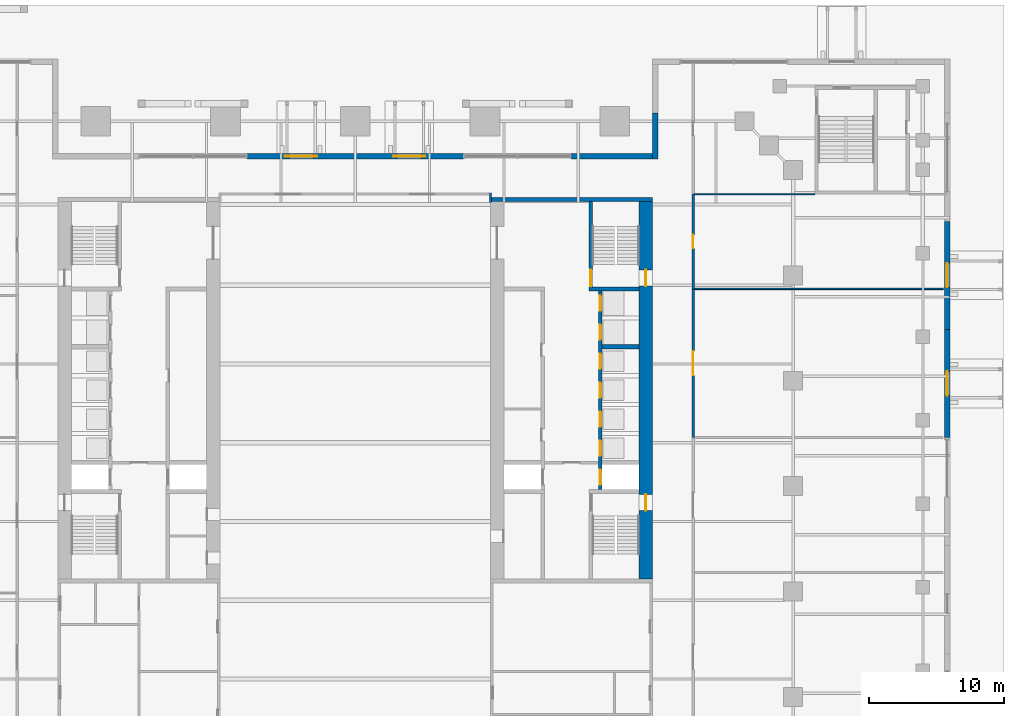
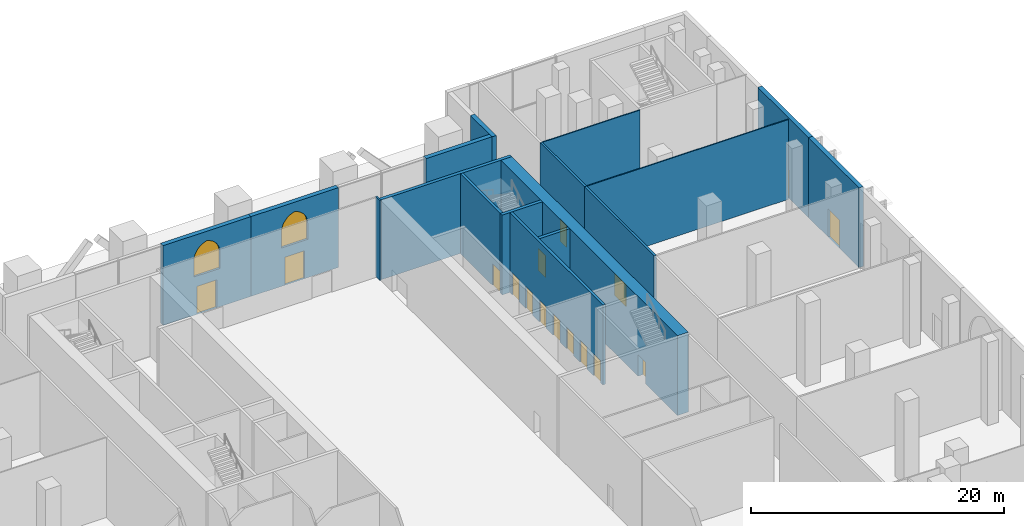
# One storey, part 33 of 38: 17 walls, 16 doors, 2 windows, 18 openings.
"""IFC4 building model written with IfcOpenShell, lengths in metres."""

from ifc_helpers import new_model, si_unit, direction, frame, frame_2d, origin, place, context, subcontext, project, spatial, polyline, rectangle, outline, extrude, material, layer, layer_set, type_object, element, fill, save


model = new_model("IFC4")

# Units and contexts
model_context = context("Model", 3, precision=1e-05, world=origin(), true_north=direction((0.0, 1.0)))
body_context = subcontext(model_context, "Body", "Model", "MODEL_VIEW")
ifc_project = project(units=[si_unit("LENGTHUNIT", "METRE"), si_unit("AREAUNIT", "SQUARE_METRE"), si_unit("VOLUMEUNIT", "CUBIC_METRE"), si_unit("PLANEANGLEUNIT", "RADIAN"), si_unit("MASSUNIT", "GRAM", prefix="KILO")], contexts=[model_context])

# Site, building, storey
site_placement = place(None, origin())
site = spatial("IfcSite", under=ifc_project, at=site_placement, CompositionType="ELEMENT")
building_placement = place(site_placement, origin())
building = spatial("IfcBuilding", under=site, at=building_placement, Name="Ogive Exchange Tower", CompositionType="ELEMENT")
storey_placement = place(building_placement, origin())
storey = spatial("IfcBuildingStorey", under=building, at=storey_placement, Name="L00", CompositionType="ELEMENT", Elevation=0.0)

# Wall
ifc_material_1 = material(Name="Fire partition EI 60 150")
ifc_layer_1 = layer(ifc_material_1, 0.14990234375)
ifc_layer_set_1 = layer_set([ifc_layer_1], Name="Fire partition EI 60 150")
wall_type_1 = type_object("IfcWallType", Name="Fire partition EI 60 150", PredefinedType="PARTITIONING", material=ifc_layer_set_1)
wall_1_placement = place(storey_placement, frame((10.0, 25.39990234375, 0.0), z_axis=(0.0, 0.0, 1.0), x_axis=(0.0, 1.0, 0.0)))
element("IfcWall", 1, at=wall_1_placement, inside=storey, type_object=wall_type_1, Name="L00-PWL-040", PredefinedType="PARTITIONING", context=body_context, shape_type="SweptSolid", body=[
    extrude(rectangle(XDim=0.675048828125, YDim=0.14990234375, at=frame_2d((0.33740234375, 0.0))), origin(), (0.0, 0.0, 1.0), 7.699951171875),
])

# Wall, opening, door
ifc_material_2 = material(Name="Precast concrete C40/50", Category="concrete")
ifc_layer_2 = layer(ifc_material_2, 0.39990234375)
ifc_layer_set_2 = layer_set([ifc_layer_2], Name="Limestone-faced wall 400")
wall_type_2 = type_object("IfcWallType", Name="Limestone-faced wall 400", PredefinedType="STANDARD", material=ifc_layer_set_2)
wall_2_placement = place(storey_placement, frame((43.800048828125, 8.0, 0.0), z_axis=(0.0, 0.0, 1.0), x_axis=(0.0, 1.0, 0.0)))
wall_2 = element("IfcWall", 2, at=wall_2_placement, inside=storey, type_object=wall_type_2, Name="Podium wall E9", PredefinedType="STANDARD", context=body_context, shape_type="SweptSolid", body=[
    extrude(rectangle(XDim=8.0, YDim=0.39990234375, at=frame_2d((4.0, 0.0))), origin(), (0.0, 0.0, 1.0), 7.699951171875),
])
opening_1_placement = place(wall_2_placement, frame((3.10009765625, 0.0, 0.0)))
opening_1 = element("IfcOpeningElement", 3, at=opening_1_placement, cuts=wall_2, Name="Opening L00-E12", PredefinedType="OPENING", context=body_context, shape_type="SweptSolid", body=[
    extrude(rectangle(XDim=1.800048828125, YDim=2.699951171875, at=frame_2d((0.89990234375, 1.35009765625))), frame((0.0, 0.2099609375, 0.0), z_axis=(0.0, -1.0, 0.0), x_axis=(1.0, 0.0, 0.0)), (0.0, 0.0, 1.0), 0.419921875),
])
ifc_material_3 = material(Name="Steel and glass", Category="steel")
door_type_1 = type_object("IfcDoorType", Name="Exit door 1800 x 2700", OperationType="DOUBLE_DOOR_SINGLE_SWING", PredefinedType="DOOR", material=ifc_material_3)
door_1_placement = place(opening_1_placement, frame((1.800048828125, 0.0, 0.0), z_axis=(0.0, 0.0, 1.0), x_axis=(-1.0, 0.0, 0.0)))
door_1 = element("IfcDoor", 4, at=door_1_placement, inside=storey, type_object=door_type_1, Name="Exit door X10", ObjectType="XD1", OperationType="DOUBLE_DOOR_SINGLE_SWING", OverallHeight=2.699951171875, OverallWidth=1.800048828125, PredefinedType="DOOR", context=body_context, shape_type="SweptSolid", body=[
    extrude(rectangle(XDim=1.800048828125, YDim=2.699951171875, at=frame_2d((0.89990234375, 1.35009765625))), frame((0.0, 0.02490234375, 0.0), z_axis=(0.0, -1.0, 0.0), x_axis=(1.0, 0.0, 0.0)), (0.0, 0.0, 1.0), 0.050048828125),
])
fill(opening_1, door_1)

wall_3_placement = place(storey_placement, frame((43.800048828125, 16.0, 0.0), z_axis=(0.0, 0.0, 1.0), x_axis=(0.0, 1.0, 0.0)))
wall_3 = element("IfcWall", 5, at=wall_3_placement, inside=storey, type_object=wall_type_2, Name="Podium wall E10", PredefinedType="STANDARD", context=body_context, shape_type="SweptSolid", body=[
    extrude(rectangle(XDim=8.0, YDim=0.39990234375, at=frame_2d((4.0, 0.0))), origin(), (0.0, 0.0, 1.0), 7.699951171875),
])
opening_2_placement = place(wall_3_placement, frame((3.10009765625, 0.0, 0.0)))
opening_2 = element("IfcOpeningElement", 6, at=opening_2_placement, cuts=wall_3, Name="Opening L00-E13", PredefinedType="OPENING", context=body_context, shape_type="SweptSolid", body=[
    extrude(rectangle(XDim=1.800048828125, YDim=2.699951171875, at=frame_2d((0.89990234375, 1.35009765625))), frame((0.0, 0.2099609375, 0.0), z_axis=(0.0, -1.0, 0.0), x_axis=(1.0, 0.0, 0.0)), (0.0, 0.0, 1.0), 0.419921875),
])
door_2_placement = place(opening_2_placement, frame((1.800048828125, 0.0, 0.0), z_axis=(0.0, 0.0, 1.0), x_axis=(-1.0, 0.0, 0.0)))
door_2 = element("IfcDoor", 7, at=door_2_placement, inside=storey, type_object=door_type_1, Name="Exit door X11", ObjectType="XD1", OperationType="DOUBLE_DOOR_SINGLE_SWING", OverallHeight=2.699951171875, OverallWidth=1.800048828125, PredefinedType="DOOR", context=body_context, shape_type="SweptSolid", body=[
    extrude(rectangle(XDim=1.800048828125, YDim=2.699951171875, at=frame_2d((0.89990234375, 1.35009765625))), frame((0.0, 0.02490234375, 0.0), z_axis=(0.0, -1.0, 0.0), x_axis=(1.0, 0.0, 0.0)), (0.0, 0.0, 1.0), 0.050048828125),
])
fill(opening_2, door_2)

# Walls
wall_4_placement = place(storey_placement, frame((22.199951171875, 32.0, 0.0), z_axis=(0.0, 0.0, 1.0), x_axis=(0.0, -1.0, 0.0)))
element("IfcWall", 8, at=wall_4_placement, inside=storey, type_object=wall_type_2, Name="Podium wall K2", PredefinedType="STANDARD", context=body_context, shape_type="SweptSolid", body=[
    extrude(rectangle(XDim=3.39990234375, YDim=0.39990234375, at=frame_2d((1.699951171875, 0.0))), origin(), (0.0, 0.0, 1.0), 7.699951171875),
])
wall_5_placement = place(storey_placement, frame((22.0, 28.800048828125, 0.0), z_axis=(0.0, 0.0, 1.0), x_axis=(-1.0, 0.0, 0.0)))
element("IfcWall", 9, at=wall_5_placement, inside=storey, type_object=wall_type_2, Name="Podium wall B1", PredefinedType="STANDARD", context=body_context, shape_type="SweptSolid", body=[
    extrude(rectangle(XDim=6.0, YDim=0.39990234375, at=frame_2d((3.0, 0.0))), origin(), (0.0, 0.0, 1.0), 7.699951171875),
])

# Wall, openings, window, door
wall_6_placement = place(storey_placement, frame((8.0, 28.800048828125, 0.0), z_axis=(0.0, 0.0, 1.0), x_axis=(-1.0, 0.0, 0.0)))
wall_6 = element("IfcWall", 10, at=wall_6_placement, inside=storey, type_object=wall_type_2, Name="Podium wall B3", PredefinedType="STANDARD", context=body_context, shape_type="SweptSolid", body=[
    extrude(rectangle(XDim=8.0, YDim=0.39990234375, at=frame_2d((4.0, 0.0))), origin(), (0.0, 0.0, 1.0), 7.699951171875),
])
opening_3_placement = place(wall_6_placement, frame((3.10009765625, 0.0, 0.0)))
opening_3 = element("IfcOpeningElement", 11, at=opening_3_placement, cuts=wall_6, Name="Opening L00-E15", PredefinedType="OPENING", context=body_context, shape_type="SweptSolid", body=[
    extrude(rectangle(XDim=1.800048828125, YDim=2.699951171875, at=frame_2d((0.89990234375, 1.35009765625))), frame((0.0, 0.2099609375, 0.0), z_axis=(0.0, -1.0, 0.0), x_axis=(1.0, 0.0, 0.0)), (0.0, 0.0, 1.0), 0.419921875),
])
opening_4_placement = place(wall_6_placement, frame((2.800048828125, 0.0, 3.699951171875)))
opening_4 = element("IfcOpeningElement", 12, at=opening_4_placement, cuts=wall_6, Name="Opening WF310", PredefinedType="OPENING", context=body_context, shape_type="SweptSolid", body=[
    extrude(outline(polyline([(0.0, 0.0), (2.39990234375, 0.0), (2.39990234375, 1.550048828125), (2.378173828125, 1.8125), (2.313720703125, 2.06787109375), (2.20849609375, 2.309326171875), (2.06494140625, 2.5302734375), (1.886962890625, 2.724365234375), (1.6796875, 2.886962890625), (1.44873046875, 3.013427734375), (1.199951171875, 3.10009765625), (0.951171875, 3.013427734375), (0.72021484375, 2.886962890625), (0.512939453125, 2.724365234375), (0.3349609375, 2.5302734375), (0.19140625, 2.309326171875), (0.086181640625, 2.06787109375), (0.021728515625, 1.8125), (0.0, 1.550048828125), (0.0, 0.0)])), frame((0.0, 0.2099609375, 0.0), z_axis=(0.0, -1.0, 0.0), x_axis=(1.0, 0.0, 0.0)), (0.0, 0.0, 1.0), 0.419921875),
])
ifc_material_4 = material(Name="Clear glass in bronze frame", Category="glass")
window_type = type_object("IfcWindowType", Name="Entrance fanlight 2400 x 3100", PartitioningType="DOUBLE_PANEL_VERTICAL", PredefinedType="WINDOW", material=ifc_material_4)
window_1_placement = place(opening_4_placement, origin())
window_1 = element("IfcWindow", 13, at=window_1_placement, inside=storey, type_object=window_type, Name="Entrance fanlight 15", OverallHeight=3.10009765625, OverallWidth=2.39990234375, PartitioningType="DOUBLE_PANEL_VERTICAL", PredefinedType="WINDOW", context=body_context, shape_type="SweptSolid", body=[
    extrude(outline(polyline([(0.0, 0.0), (2.39990234375, 0.0), (2.39990234375, 1.550048828125), (2.378173828125, 1.8125), (2.313720703125, 2.06787109375), (2.20849609375, 2.309326171875), (2.06494140625, 2.5302734375), (1.886962890625, 2.724365234375), (1.6796875, 2.886962890625), (1.44873046875, 3.013427734375), (1.199951171875, 3.10009765625), (0.951171875, 3.013427734375), (0.72021484375, 2.886962890625), (0.512939453125, 2.724365234375), (0.3349609375, 2.5302734375), (0.19140625, 2.309326171875), (0.086181640625, 2.06787109375), (0.021728515625, 1.8125), (0.0, 1.550048828125), (0.0, 0.0)])), frame((0.0, 0.030029296875, 0.0), z_axis=(0.0, -1.0, 0.0), x_axis=(1.0, 0.0, 0.0)), (0.0, 0.0, 1.0), 0.06005859375),
])
fill(opening_4, window_1)
door_3_placement = place(opening_3_placement, frame((1.800048828125, 0.0, 0.0), z_axis=(0.0, 0.0, 1.0), x_axis=(-1.0, 0.0, 0.0)))
door_3 = element("IfcDoor", 14, at=door_3_placement, inside=storey, type_object=door_type_1, Name="Exit door X15", ObjectType="XD1", OperationType="DOUBLE_DOOR_SINGLE_SWING", OverallHeight=2.699951171875, OverallWidth=1.800048828125, PredefinedType="DOOR", context=body_context, shape_type="SweptSolid", body=[
    extrude(rectangle(XDim=1.800048828125, YDim=2.699951171875, at=frame_2d((0.89990234375, 1.35009765625))), frame((0.0, 0.02490234375, 0.0), z_axis=(0.0, -1.0, 0.0), x_axis=(1.0, 0.0, 0.0)), (0.0, 0.0, 1.0), 0.050048828125),
])
fill(opening_3, door_3)

wall_7_placement = place(storey_placement, frame((0.0, 28.800048828125, 0.0), z_axis=(0.0, 0.0, 1.0), x_axis=(-1.0, 0.0, 0.0)))
wall_7 = element("IfcWall", 15, at=wall_7_placement, inside=storey, type_object=wall_type_2, Name="Podium wall B4", PredefinedType="STANDARD", context=body_context, shape_type="SweptSolid", body=[
    extrude(rectangle(XDim=8.0, YDim=0.39990234375, at=frame_2d((4.0, 0.0))), origin(), (0.0, 0.0, 1.0), 7.699951171875),
])
opening_5_placement = place(wall_7_placement, frame((3.10009765625, 0.0, 0.0)))
opening_5 = element("IfcOpeningElement", 16, at=opening_5_placement, cuts=wall_7, Name="Opening L00-E16", PredefinedType="OPENING", context=body_context, shape_type="SweptSolid", body=[
    extrude(rectangle(XDim=1.800048828125, YDim=2.699951171875, at=frame_2d((0.89990234375, 1.35009765625))), frame((0.0, 0.2099609375, 0.0), z_axis=(0.0, -1.0, 0.0), x_axis=(1.0, 0.0, 0.0)), (0.0, 0.0, 1.0), 0.419921875),
])
opening_6_placement = place(wall_7_placement, frame((2.800048828125, 0.0, 3.699951171875)))
opening_6 = element("IfcOpeningElement", 17, at=opening_6_placement, cuts=wall_7, Name="Opening WF310", PredefinedType="OPENING", context=body_context, shape_type="SweptSolid", body=[
    extrude(outline(polyline([(0.0, 0.0), (2.39990234375, 0.0), (2.39990234375, 1.550048828125), (2.378173828125, 1.8125), (2.313720703125, 2.06787109375), (2.20849609375, 2.309326171875), (2.06494140625, 2.5302734375), (1.886962890625, 2.724365234375), (1.6796875, 2.886962890625), (1.44873046875, 3.013427734375), (1.199951171875, 3.10009765625), (0.951171875, 3.013427734375), (0.72021484375, 2.886962890625), (0.512939453125, 2.724365234375), (0.3349609375, 2.5302734375), (0.19140625, 2.309326171875), (0.086181640625, 2.06787109375), (0.021728515625, 1.8125), (0.0, 1.550048828125), (0.0, 0.0)])), frame((0.0, 0.2099609375, 0.0), z_axis=(0.0, -1.0, 0.0), x_axis=(1.0, 0.0, 0.0)), (0.0, 0.0, 1.0), 0.419921875),
])
window_2_placement = place(opening_6_placement, origin())
window_2 = element("IfcWindow", 18, at=window_2_placement, inside=storey, type_object=window_type, Name="Entrance fanlight 16", OverallHeight=3.10009765625, OverallWidth=2.39990234375, PartitioningType="DOUBLE_PANEL_VERTICAL", PredefinedType="WINDOW", context=body_context, shape_type="SweptSolid", body=[
    extrude(outline(polyline([(0.0, 0.0), (2.39990234375, 0.0), (2.39990234375, 1.550048828125), (2.378173828125, 1.8125), (2.313720703125, 2.06787109375), (2.20849609375, 2.309326171875), (2.06494140625, 2.5302734375), (1.886962890625, 2.724365234375), (1.6796875, 2.886962890625), (1.44873046875, 3.013427734375), (1.199951171875, 3.10009765625), (0.951171875, 3.013427734375), (0.72021484375, 2.886962890625), (0.512939453125, 2.724365234375), (0.3349609375, 2.5302734375), (0.19140625, 2.309326171875), (0.086181640625, 2.06787109375), (0.021728515625, 1.8125), (0.0, 1.550048828125), (0.0, 0.0)])), frame((0.0, 0.030029296875, 0.0), z_axis=(0.0, -1.0, 0.0), x_axis=(1.0, 0.0, 0.0)), (0.0, 0.0, 1.0), 0.06005859375),
])
fill(opening_6, window_2)
door_4_placement = place(opening_5_placement, frame((1.800048828125, 0.0, 0.0), z_axis=(0.0, 0.0, 1.0), x_axis=(-1.0, 0.0, 0.0)))
door_4 = element("IfcDoor", 19, at=door_4_placement, inside=storey, type_object=door_type_1, Name="Exit door X14", ObjectType="XD1", OperationType="DOUBLE_DOOR_SINGLE_SWING", OverallHeight=2.699951171875, OverallWidth=1.800048828125, PredefinedType="DOOR", context=body_context, shape_type="SweptSolid", body=[
    extrude(rectangle(XDim=1.800048828125, YDim=2.699951171875, at=frame_2d((0.89990234375, 1.35009765625))), frame((0.0, 0.02490234375, 0.0), z_axis=(0.0, -1.0, 0.0), x_axis=(1.0, 0.0, 0.0)), (0.0, 0.0, 1.0), 0.050048828125),
])
fill(opening_5, door_4)

# Walls
ifc_material_5 = material(Name="Partition 100 gypsum")
ifc_layer_3 = layer(ifc_material_5, 0.10009765625)
ifc_layer_set_3 = layer_set([ifc_layer_3], Name="Partition 100 gypsum")
wall_type_3 = type_object("IfcWallType", Name="Partition 100 gypsum", PredefinedType="PARTITIONING", material=ifc_layer_set_3)
wall_8_placement = place(storey_placement, frame((25.10009765625, 19.0, 0.0), z_axis=(0.0, 0.0, 1.0), x_axis=(1.0, 0.0, 0.0)))
element("IfcWall", 20, at=wall_8_placement, inside=storey, type_object=wall_type_3, Name="L00-PWL-024", PredefinedType="PARTITIONING", context=body_context, shape_type="SweptSolid", body=[
    extrude(rectangle(XDim=18.39990234375, YDim=0.10009765625, at=frame_2d((9.199951171875, 0.0))), origin(), (0.0, 0.0, 1.0), 7.699951171875),
])
wall_9_placement = place(storey_placement, frame((25.10009765625, 26.0, 0.0), z_axis=(0.0, 0.0, 1.0), x_axis=(1.0, 0.0, 0.0)))
element("IfcWall", 21, at=wall_9_placement, inside=storey, type_object=wall_type_3, Name="L00-PWL-028", PredefinedType="PARTITIONING", context=body_context, shape_type="SweptSolid", body=[
    extrude(rectangle(XDim=8.89990234375, YDim=0.10009765625, at=frame_2d((4.449951171875, 0.0))), origin(), (0.0, 0.0, 1.0), 7.699951171875),
])

# Wall, openings, doors
ifc_material_6 = material(Name="Concrete C70/85", Category="concrete")
ifc_layer_4 = layer(ifc_material_6, 1.0)
ifc_layer_set_4 = layer_set([ifc_layer_4], Name="RC core wall 1000 C70/85")
wall_type_4 = type_object("IfcWallType", Name="RC core wall 1000 C70/85", PredefinedType="SHEAR", material=ifc_layer_set_4)
wall_10_placement = place(storey_placement, frame((21.5, -2.449951171875, 0.0), z_axis=(0.0, 0.0, 1.0), x_axis=(0.0, 1.0, 0.0)))
wall_10 = element("IfcWall", 22, at=wall_10_placement, inside=storey, type_object=wall_type_4, Name="E outer wall", PredefinedType="SHEAR", context=body_context, shape_type="SweptSolid", body=[
    extrude(rectangle(XDim=27.89990234375, YDim=1.0, at=frame_2d((13.949951171875, 0.0))), origin(), (0.0, 0.0, 1.0), 7.699951171875),
])
opening_7_placement = place(wall_10_placement, frame((5.050048828125, 0.0, 0.0)))
opening_7 = element("IfcOpeningElement", 23, at=opening_7_placement, cuts=wall_10, Name="Opening L00-C36", PredefinedType="OPENING", context=body_context, shape_type="SweptSolid", body=[
    extrude(rectangle(XDim=1.199951171875, YDim=2.10009765625, at=frame_2d((0.60009765625, 1.050048828125))), frame((0.0, 0.510009765625, 0.0), z_axis=(0.0, -1.0, 0.0), x_axis=(1.0, 0.0, 0.0)), (0.0, 0.0, 1.0), 1.02001953125),
])
opening_8_placement = place(wall_10_placement, frame((21.64990234375, 0.0, 0.0)))
opening_8 = element("IfcOpeningElement", 24, at=opening_8_placement, cuts=wall_10, Name="Opening L00-C38", PredefinedType="OPENING", context=body_context, shape_type="SweptSolid", body=[
    extrude(rectangle(XDim=1.199951171875, YDim=2.10009765625, at=frame_2d((0.60009765625, 1.050048828125))), frame((0.0, 0.510009765625, 0.0), z_axis=(0.0, -1.0, 0.0), x_axis=(1.0, 0.0, 0.0)), (0.0, 0.0, 1.0), 1.02001953125),
])
ifc_material_7 = material(Name="Steel fire door", Category="steel")
door_type_2 = type_object("IfcDoorType", Name="Stair door FD90 1200 x 2100", OperationType="NOTDEFINED", PredefinedType="DOOR", material=ifc_material_7)
door_5_placement = place(opening_7_placement, origin())
door_5 = element("IfcDoor", 25, at=door_5_placement, inside=storey, type_object=door_type_2, Name="Stair door", ObjectType="CD5", OperationType="SINGLE_SWING_LEFT", OverallHeight=2.10009765625, OverallWidth=1.199951171875, PredefinedType="DOOR", context=body_context, shape_type="SweptSolid", body=[
    extrude(rectangle(XDim=1.199951171875, YDim=2.10009765625, at=frame_2d((0.60009765625, 1.050048828125))), frame((0.0, 0.02490234375, 0.0), z_axis=(0.0, -1.0, 0.0), x_axis=(1.0, 0.0, 0.0)), (0.0, 0.0, 1.0), 0.050048828125),
])
fill(opening_7, door_5)
door_6_placement = place(opening_8_placement, origin())
door_6 = element("IfcDoor", 26, at=door_6_placement, inside=storey, type_object=door_type_2, Name="Stair door", ObjectType="CD5", OperationType="SINGLE_SWING_RIGHT", OverallHeight=2.10009765625, OverallWidth=1.199951171875, PredefinedType="DOOR", context=body_context, shape_type="SweptSolid", body=[
    extrude(rectangle(XDim=1.199951171875, YDim=2.10009765625, at=frame_2d((0.60009765625, 1.050048828125))), frame((0.0, 0.02490234375, 0.0), z_axis=(0.0, -1.0, 0.0), x_axis=(1.0, 0.0, 0.0)), (0.0, 0.0, 1.0), 0.050048828125),
])
fill(opening_8, door_6)

# Wall, opening, door
ifc_layer_5 = layer(ifc_material_6, 0.25)
ifc_layer_set_5 = layer_set([ifc_layer_5], Name="RC core wall 250 C70/85")
wall_type_5 = type_object("IfcWallType", Name="RC core wall 250 C70/85", PredefinedType="SHEAR", material=ifc_layer_set_5)
wall_11_placement = place(storey_placement, frame((17.425048828125, 19.14990234375, 0.0), z_axis=(0.0, 0.0, 1.0), x_axis=(0.0, 1.0, 0.0)))
wall_11 = element("IfcWall", 27, at=wall_11_placement, inside=storey, type_object=wall_type_5, Name="E stair N front wall", PredefinedType="SHEAR", context=body_context, shape_type="SweptSolid", body=[
    extrude(rectangle(XDim=6.300048828125, YDim=0.25, at=frame_2d((3.14990234375, 0.0))), origin(), (0.0, 0.0, 1.0), 7.699951171875),
])
opening_9_placement = place(wall_11_placement, frame((0.050048828125, 0.0, 0.0)))
opening_9 = element("IfcOpeningElement", 28, at=opening_9_placement, cuts=wall_11, Name="Opening L00-C37", PredefinedType="OPENING", context=body_context, shape_type="SweptSolid", body=[
    extrude(rectangle(XDim=1.199951171875, YDim=2.10009765625, at=frame_2d((0.60009765625, 1.050048828125))), frame((0.0, 0.135009765625, 0.0), z_axis=(0.0, -1.0, 0.0), x_axis=(1.0, 0.0, 0.0)), (0.0, 0.0, 1.0), 0.27001953125),
])
door_7_placement = place(opening_9_placement, frame((1.199951171875, 0.0, 0.0), z_axis=(0.0, 0.0, 1.0), x_axis=(-1.0, 0.0, 0.0)))
door_7 = element("IfcDoor", 29, at=door_7_placement, inside=storey, type_object=door_type_2, Name="Stair door", ObjectType="CD5", OperationType="SINGLE_SWING_LEFT", OverallHeight=2.10009765625, OverallWidth=1.199951171875, PredefinedType="DOOR", context=body_context, shape_type="SweptSolid", body=[
    extrude(rectangle(XDim=1.199951171875, YDim=2.10009765625, at=frame_2d((0.60009765625, 1.050048828125))), frame((0.0, 0.02490234375, 0.0), z_axis=(0.0, -1.0, 0.0), x_axis=(1.0, 0.0, 0.0)), (0.0, 0.0, 1.0), 0.050048828125),
])
fill(opening_9, door_7)

# Wall, openings, doors
wall_12_placement = place(storey_placement, frame((18.125, 4.14990234375, 0.0), z_axis=(0.0, 0.0, 1.0), x_axis=(0.0, 1.0, 0.0)))
wall_12 = element("IfcWall", 30, at=wall_12_placement, inside=storey, type_object=wall_type_5, Name="E row A front wall", PredefinedType="SHEAR", context=body_context, shape_type="SweptSolid", body=[
    extrude(rectangle(XDim=14.7001953125, YDim=0.25, at=frame_2d((7.35009765625, 0.0))), origin(), (0.0, 0.0, 1.0), 7.699951171875),
])
opening_10_placement = place(wall_12_placement, frame((0.371337890625, 0.0, 0.0)))
opening_10 = element("IfcOpeningElement", 31, at=opening_10_placement, cuts=wall_12, Name="Opening L00-C23", PredefinedType="OPENING", context=body_context, shape_type="SweptSolid", body=[
    extrude(rectangle(XDim=1.10009765625, YDim=2.10009765625, at=frame_2d((0.550048828125, 1.050048828125))), frame((0.0, 0.135009765625, 0.0), z_axis=(0.0, -1.0, 0.0), x_axis=(1.0, 0.0, 0.0)), (0.0, 0.0, 1.0), 0.27001953125),
])
opening_11_placement = place(wall_12_placement, frame((2.514404296875, 0.0, 0.0)))
opening_11 = element("IfcOpeningElement", 32, at=opening_11_placement, cuts=wall_12, Name="Opening L00-C24", PredefinedType="OPENING", context=body_context, shape_type="SweptSolid", body=[
    extrude(rectangle(XDim=1.10009765625, YDim=2.10009765625, at=frame_2d((0.550048828125, 1.050048828125))), frame((0.0, 0.135009765625, 0.0), z_axis=(0.0, -1.0, 0.0), x_axis=(1.0, 0.0, 0.0)), (0.0, 0.0, 1.0), 0.27001953125),
])
opening_12_placement = place(wall_12_placement, frame((4.656982421875, 0.0, 0.0)))
opening_12 = element("IfcOpeningElement", 33, at=opening_12_placement, cuts=wall_12, Name="Opening L00-C25", PredefinedType="OPENING", context=body_context, shape_type="SweptSolid", body=[
    extrude(rectangle(XDim=1.10009765625, YDim=2.10009765625, at=frame_2d((0.550048828125, 1.050048828125))), frame((0.0, 0.135009765625, 0.0), z_axis=(0.0, -1.0, 0.0), x_axis=(1.0, 0.0, 0.0)), (0.0, 0.0, 1.0), 0.27001953125),
])
opening_13_placement = place(wall_12_placement, frame((6.800048828125, 0.0, 0.0)))
opening_13 = element("IfcOpeningElement", 34, at=opening_13_placement, cuts=wall_12, Name="Opening L00-C26", PredefinedType="OPENING", context=body_context, shape_type="SweptSolid", body=[
    extrude(rectangle(XDim=1.10009765625, YDim=2.10009765625, at=frame_2d((0.550048828125, 1.050048828125))), frame((0.0, 0.135009765625, 0.0), z_axis=(0.0, -1.0, 0.0), x_axis=(1.0, 0.0, 0.0)), (0.0, 0.0, 1.0), 0.27001953125),
])
opening_14_placement = place(wall_12_placement, frame((8.94287109375, 0.0, 0.0)))
opening_14 = element("IfcOpeningElement", 35, at=opening_14_placement, cuts=wall_12, Name="Opening L00-C27", PredefinedType="OPENING", context=body_context, shape_type="SweptSolid", body=[
    extrude(rectangle(XDim=1.10009765625, YDim=2.10009765625, at=frame_2d((0.550048828125, 1.050048828125))), frame((0.0, 0.135009765625, 0.0), z_axis=(0.0, -1.0, 0.0), x_axis=(1.0, 0.0, 0.0)), (0.0, 0.0, 1.0), 0.27001953125),
])
opening_15_placement = place(wall_12_placement, frame((11.085693359375, 0.0, 0.0)))
opening_15 = element("IfcOpeningElement", 36, at=opening_15_placement, cuts=wall_12, Name="Opening L00-C28", PredefinedType="OPENING", context=body_context, shape_type="SweptSolid", body=[
    extrude(rectangle(XDim=1.10009765625, YDim=2.10009765625, at=frame_2d((0.550048828125, 1.050048828125))), frame((0.0, 0.135009765625, 0.0), z_axis=(0.0, -1.0, 0.0), x_axis=(1.0, 0.0, 0.0)), (0.0, 0.0, 1.0), 0.27001953125),
])
opening_16_placement = place(wall_12_placement, frame((13.228515625, 0.0, 0.0)))
opening_16 = element("IfcOpeningElement", 37, at=opening_16_placement, cuts=wall_12, Name="Opening L00-C29", PredefinedType="OPENING", context=body_context, shape_type="SweptSolid", body=[
    extrude(rectangle(XDim=1.10009765625, YDim=2.10009765625, at=frame_2d((0.550048828125, 1.050048828125))), frame((0.0, 0.135009765625, 0.0), z_axis=(0.0, -1.0, 0.0), x_axis=(1.0, 0.0, 0.0)), (0.0, 0.0, 1.0), 0.27001953125),
])
ifc_material_8 = material(Name="Stainless steel", Category="steel")
door_type_3 = type_object("IfcDoorType", Name="Lift landing door FD90 1100 x 2100", OperationType="SLIDING_TO_LEFT", PredefinedType="DOOR", material=ifc_material_8)
door_8_placement = place(opening_10_placement, origin())
door_8 = element("IfcDoor", 38, at=door_8_placement, inside=storey, type_object=door_type_3, Name="Lift landing door FF2", ObjectType="LD", OperationType="SLIDING_TO_LEFT", OverallHeight=2.10009765625, OverallWidth=1.10009765625, PredefinedType="DOOR", context=body_context, shape_type="SweptSolid", body=[
    extrude(rectangle(XDim=1.10009765625, YDim=2.10009765625, at=frame_2d((0.550048828125, 1.050048828125))), frame((0.0, 0.02490234375, 0.0), z_axis=(0.0, -1.0, 0.0), x_axis=(1.0, 0.0, 0.0)), (0.0, 0.0, 1.0), 0.050048828125),
])
fill(opening_10, door_8)
door_9_placement = place(opening_11_placement, origin())
door_9 = element("IfcDoor", 39, at=door_9_placement, inside=storey, type_object=door_type_3, Name="Lift landing door E-L1", ObjectType="LD", OperationType="SLIDING_TO_LEFT", OverallHeight=2.10009765625, OverallWidth=1.10009765625, PredefinedType="DOOR", context=body_context, shape_type="SweptSolid", body=[
    extrude(rectangle(XDim=1.10009765625, YDim=2.10009765625, at=frame_2d((0.550048828125, 1.050048828125))), frame((0.0, 0.02490234375, 0.0), z_axis=(0.0, -1.0, 0.0), x_axis=(1.0, 0.0, 0.0)), (0.0, 0.0, 1.0), 0.050048828125),
])
fill(opening_11, door_9)
door_10_placement = place(opening_12_placement, origin())
door_10 = element("IfcDoor", 40, at=door_10_placement, inside=storey, type_object=door_type_3, Name="Lift landing door E-L2", ObjectType="LD", OperationType="SLIDING_TO_LEFT", OverallHeight=2.10009765625, OverallWidth=1.10009765625, PredefinedType="DOOR", context=body_context, shape_type="SweptSolid", body=[
    extrude(rectangle(XDim=1.10009765625, YDim=2.10009765625, at=frame_2d((0.550048828125, 1.050048828125))), frame((0.0, 0.02490234375, 0.0), z_axis=(0.0, -1.0, 0.0), x_axis=(1.0, 0.0, 0.0)), (0.0, 0.0, 1.0), 0.050048828125),
])
fill(opening_12, door_10)
door_11_placement = place(opening_13_placement, origin())
door_11 = element("IfcDoor", 41, at=door_11_placement, inside=storey, type_object=door_type_3, Name="Lift landing door E-L3", ObjectType="LD", OperationType="SLIDING_TO_LEFT", OverallHeight=2.10009765625, OverallWidth=1.10009765625, PredefinedType="DOOR", context=body_context, shape_type="SweptSolid", body=[
    extrude(rectangle(XDim=1.10009765625, YDim=2.10009765625, at=frame_2d((0.550048828125, 1.050048828125))), frame((0.0, 0.02490234375, 0.0), z_axis=(0.0, -1.0, 0.0), x_axis=(1.0, 0.0, 0.0)), (0.0, 0.0, 1.0), 0.050048828125),
])
fill(opening_13, door_11)
door_12_placement = place(opening_14_placement, origin())
door_12 = element("IfcDoor", 42, at=door_12_placement, inside=storey, type_object=door_type_3, Name="Lift landing door E-L4", ObjectType="LD", OperationType="SLIDING_TO_LEFT", OverallHeight=2.10009765625, OverallWidth=1.10009765625, PredefinedType="DOOR", context=body_context, shape_type="SweptSolid", body=[
    extrude(rectangle(XDim=1.10009765625, YDim=2.10009765625, at=frame_2d((0.550048828125, 1.050048828125))), frame((0.0, 0.02490234375, 0.0), z_axis=(0.0, -1.0, 0.0), x_axis=(1.0, 0.0, 0.0)), (0.0, 0.0, 1.0), 0.050048828125),
])
fill(opening_14, door_12)
door_13_placement = place(opening_15_placement, origin())
door_13 = element("IfcDoor", 43, at=door_13_placement, inside=storey, type_object=door_type_3, Name="Lift landing door E-SH1", ObjectType="LD", OperationType="SLIDING_TO_LEFT", OverallHeight=2.10009765625, OverallWidth=1.10009765625, PredefinedType="DOOR", context=body_context, shape_type="SweptSolid", body=[
    extrude(rectangle(XDim=1.10009765625, YDim=2.10009765625, at=frame_2d((0.550048828125, 1.050048828125))), frame((0.0, 0.02490234375, 0.0), z_axis=(0.0, -1.0, 0.0), x_axis=(1.0, 0.0, 0.0)), (0.0, 0.0, 1.0), 0.050048828125),
])
fill(opening_15, door_13)
door_14_placement = place(opening_16_placement, origin())
door_14 = element("IfcDoor", 44, at=door_14_placement, inside=storey, type_object=door_type_3, Name="Lift landing door E-SH2", ObjectType="LD", OperationType="SLIDING_TO_LEFT", OverallHeight=2.10009765625, OverallWidth=1.10009765625, PredefinedType="DOOR", context=body_context, shape_type="SweptSolid", body=[
    extrude(rectangle(XDim=1.10009765625, YDim=2.10009765625, at=frame_2d((0.550048828125, 1.050048828125))), frame((0.0, 0.02490234375, 0.0), z_axis=(0.0, -1.0, 0.0), x_axis=(1.0, 0.0, 0.0)), (0.0, 0.0, 1.0), 0.050048828125),
])
fill(opening_16, door_14)

# Walls
ifc_layer_6 = layer(ifc_material_6, 0.300048828125)
ifc_layer_set_6 = layer_set([ifc_layer_6], Name="RC core wall 300 C70/85")
wall_type_6 = type_object("IfcWallType", Name="RC core wall 300 C70/85", PredefinedType="SHEAR", material=ifc_layer_set_6)
wall_13_placement = place(storey_placement, frame((10.0, 25.60009765625, 0.0), z_axis=(0.0, 0.0, 1.0), x_axis=(1.0, 0.0, 0.0)))
element("IfcWall", 45, at=wall_13_placement, inside=storey, type_object=wall_type_6, Name="E north end wall", PredefinedType="SHEAR", context=body_context, shape_type="SweptSolid", body=[
    extrude(rectangle(XDim=12.0, YDim=0.300048828125, at=frame_2d((6.0, 0.0))), origin(), (0.0, 0.0, 1.0), 7.699951171875),
])
wall_14_placement = place(storey_placement, frame((17.300048828125, 19.0, 0.0), z_axis=(0.0, 0.0, 1.0), x_axis=(1.0, 0.0, 0.0)))
element("IfcWall", 46, at=wall_14_placement, inside=storey, type_object=wall_type_6, Name="E stair N south wall", PredefinedType="SHEAR", context=body_context, shape_type="SweptSolid", body=[
    extrude(rectangle(XDim=3.699951171875, YDim=0.300048828125, at=frame_2d((1.85009765625, 0.0))), origin(), (0.0, 0.0, 1.0), 7.699951171875),
])
wall_15_placement = place(storey_placement, frame((18.25, 14.71435546875, 0.0), z_axis=(0.0, 0.0, 1.0), x_axis=(1.0, 0.0, 0.0)))
element("IfcWall", 47, at=wall_15_placement, inside=storey, type_object=wall_type_6, Name="E row A divider 5", PredefinedType="SHEAR", context=body_context, shape_type="SweptSolid", body=[
    extrude(rectangle(XDim=2.75, YDim=0.300048828125, at=frame_2d((1.375, 0.0))), origin(), (0.0, 0.0, 1.0), 7.699951171875),
])

# Wall, opening, door
ifc_material_9 = material(Name="Shaft enclosure EI 120 200")
ifc_layer_7 = layer(ifc_material_9, 0.199951171875)
ifc_layer_set_7 = layer_set([ifc_layer_7], Name="Shaft enclosure EI 120 200")
wall_type_7 = type_object("IfcWallType", Name="Shaft enclosure EI 120 200", PredefinedType="PARTITIONING", material=ifc_layer_set_7)
wall_16_placement = place(storey_placement, frame((25.0, 8.0, 0.0), z_axis=(0.0, 0.0, 1.0), x_axis=(0.0, 1.0, 0.0)))
wall_16 = element("IfcWall", 48, at=wall_16_placement, inside=storey, type_object=wall_type_7, Name="L00-PWL-045", PredefinedType="PARTITIONING", context=body_context, shape_type="SweptSolid", body=[
    extrude(rectangle(XDim=11.0, YDim=0.199951171875, at=frame_2d((5.5, 0.0))), origin(), (0.0, 0.0, 1.0), 7.699951171875),
])
opening_17_placement = place(wall_16_placement, frame((4.60009765625, 0.0, 0.0)))
opening_17 = element("IfcOpeningElement", 49, at=opening_17_placement, cuts=wall_16, Name="Opening L00-I15", PredefinedType="OPENING", context=body_context, shape_type="SweptSolid", body=[
    extrude(rectangle(XDim=1.800048828125, YDim=2.10009765625, at=frame_2d((0.89990234375, 1.050048828125))), frame((0.0, 0.10986328125, 0.0), z_axis=(0.0, -1.0, 0.0), x_axis=(1.0, 0.0, 0.0)), (0.0, 0.0, 1.0), 0.219970703125),
])
ifc_material_10 = material(Name="Stair door FD 90 1800 x 2100")
door_type_4 = type_object("IfcDoorType", Name="Stair door FD 90 1800 x 2100", OperationType="DOUBLE_DOOR_SINGLE_SWING", PredefinedType="DOOR", material=ifc_material_10)
door_15_placement = place(opening_17_placement, frame((1.800048828125, 0.0, 0.0), z_axis=(0.0, 0.0, 1.0), x_axis=(-1.0, 0.0, 0.0)))
door_15 = element("IfcDoor", 50, at=door_15_placement, inside=storey, type_object=door_type_4, Name="L00-IDR-015", ObjectType="DT8", OperationType="SINGLE_SWING_RIGHT", OverallHeight=2.10009765625, OverallWidth=1.800048828125, PredefinedType="DOOR", context=body_context, shape_type="SweptSolid", body=[
    extrude(rectangle(XDim=1.800048828125, YDim=2.10009765625, at=frame_2d((0.89990234375, 1.050048828125))), frame((0.0, 0.02490234375, 0.0), z_axis=(0.0, -1.0, 0.0), x_axis=(1.0, 0.0, 0.0)), (0.0, 0.0, 1.0), 0.050048828125),
])
fill(opening_17, door_15)

wall_17_placement = place(storey_placement, frame((25.0, 19.0, 0.0), z_axis=(0.0, 0.0, 1.0), x_axis=(0.0, 1.0, 0.0)))
wall_17 = element("IfcWall", 51, at=wall_17_placement, inside=storey, type_object=wall_type_7, Name="L00-PWL-046", PredefinedType="PARTITIONING", context=body_context, shape_type="SweptSolid", body=[
    extrude(rectangle(XDim=7.0, YDim=0.199951171875, at=frame_2d((3.5, 0.0))), origin(), (0.0, 0.0, 1.0), 7.699951171875),
])
opening_18_placement = place(wall_17_placement, frame((3.0, 0.0, 0.0)))
opening_18 = element("IfcOpeningElement", 52, at=opening_18_placement, cuts=wall_17, Name="Opening L00-I16", PredefinedType="OPENING", context=body_context, shape_type="SweptSolid", body=[
    extrude(rectangle(XDim=1.0, YDim=2.10009765625, at=frame_2d((0.5, 1.050048828125))), frame((0.0, 0.10986328125, 0.0), z_axis=(0.0, -1.0, 0.0), x_axis=(1.0, 0.0, 0.0)), (0.0, 0.0, 1.0), 0.219970703125),
])
ifc_material_11 = material(Name="Stair door FD 90 1000 x 2100")
door_type_5 = type_object("IfcDoorType", Name="Stair door FD 90 1000 x 2100", OperationType="NOTDEFINED", PredefinedType="DOOR", material=ifc_material_11)
door_16_placement = place(opening_18_placement, frame((1.0, 0.0, 0.0), z_axis=(0.0, 0.0, 1.0), x_axis=(-1.0, 0.0, 0.0)))
door_16 = element("IfcDoor", 53, at=door_16_placement, inside=storey, type_object=door_type_5, Name="L00-IDR-016", ObjectType="DT5", OperationType="SINGLE_SWING_RIGHT", OverallHeight=2.10009765625, OverallWidth=1.0, PredefinedType="DOOR", context=body_context, shape_type="SweptSolid", body=[
    extrude(rectangle(XDim=1.0, YDim=2.10009765625, at=frame_2d((0.5, 1.050048828125))), frame((0.0, 0.02490234375, 0.0), z_axis=(0.0, -1.0, 0.0), x_axis=(1.0, 0.0, 0.0)), (0.0, 0.0, 1.0), 0.050048828125),
])
fill(opening_18, door_16)

save(model, "model.ifc")
